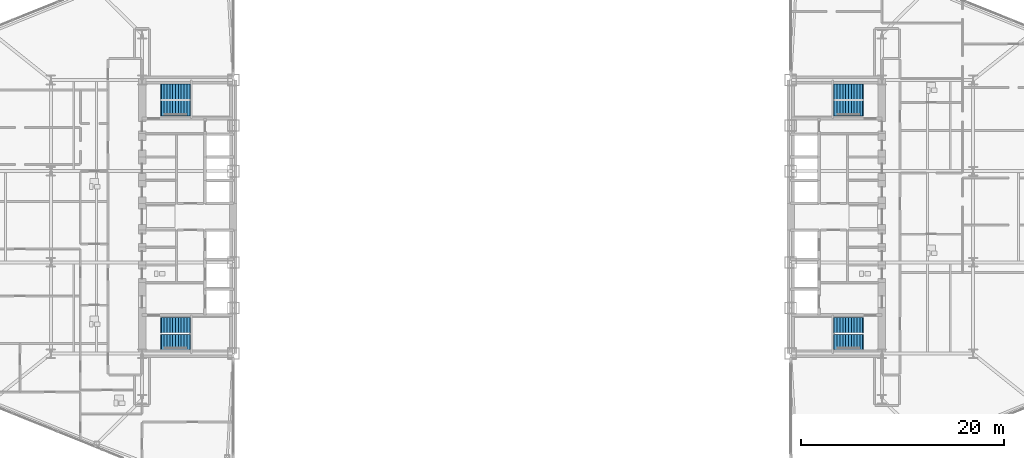
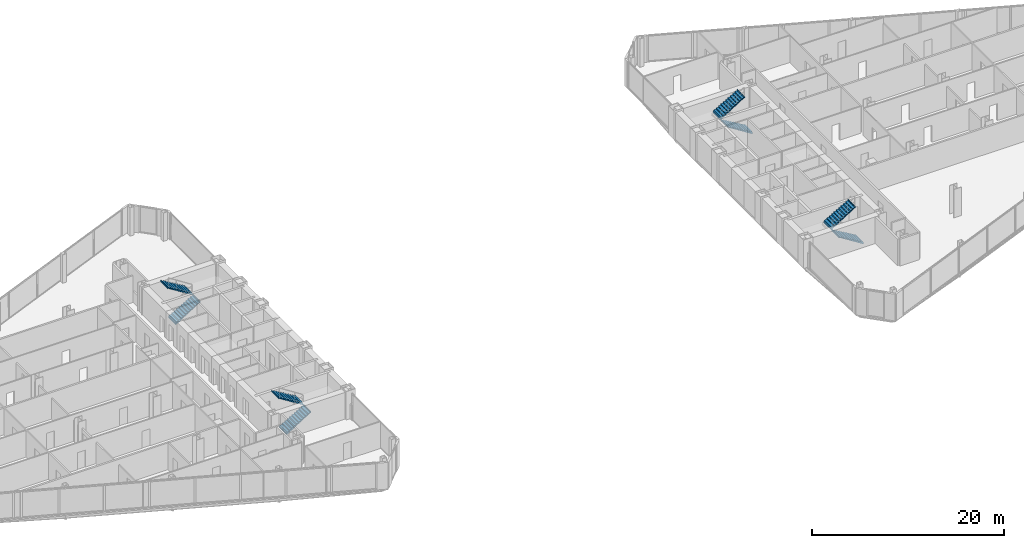
# One storey, part 23 of 25: 8 stair flights, 4 elements without a shape of their own.
"""IFC4 building model written with IfcOpenShell, lengths in metres."""

from ifc_helpers import new_model, si_unit, direction, frame, origin, place, context, subcontext, project, spatial, polyline, outline, extrude, material, type_object, element, aggregate, save


model = new_model("IFC4")

# Units and contexts
model_context = context("Model", 3, precision=1e-05, world=origin(), true_north=direction((0.0, 1.0)))
body_context = subcontext(model_context, "Body", "Model", "MODEL_VIEW")
ifc_project = project(units=[si_unit("LENGTHUNIT", "METRE"), si_unit("AREAUNIT", "SQUARE_METRE"), si_unit("VOLUMEUNIT", "CUBIC_METRE"), si_unit("PLANEANGLEUNIT", "RADIAN"), si_unit("MASSUNIT", "GRAM", prefix="KILO")], contexts=[model_context])

# Site, building, storey
site_placement = place(None, origin())
site = spatial("IfcSite", under=ifc_project, at=site_placement, CompositionType="ELEMENT")
building_placement = place(site_placement, origin())
building = spatial("IfcBuilding", under=site, at=building_placement, Name="Seokmaru Belvedere", CompositionType="ELEMENT")
storey_placement = place(building_placement, frame((0.0, 0.0, 58.5)))
storey = spatial("IfcBuildingStorey", under=building, at=storey_placement, Name="L15", CompositionType="ELEMENT", Elevation=58.5)

# Stair, stair flights
ifc_material = material(Name="Concrete C40 (40 MPa)", Category="concrete")
stair_type = type_object("IfcStairType", Name="Typical Tower Core Dog-Leg Stair 3600", PredefinedType="TWO_STRAIGHT_RUN_STAIR", material=ifc_material)
stair_1_placement = place(storey_placement, origin())
stair_1 = element("IfcStair", 1, at=stair_1_placement, inside=storey, type_object=stair_type, Name="L15 Special Escape Stair ST-W1", PredefinedType="TWO_STRAIGHT_RUN_STAIR")
stair_flight_type = type_object("IfcStairFlightType", Name="Reinforced Concrete Stair Flight 1500", PredefinedType="STRAIGHT", material=ifc_material)
stair_flight_1_placement = place(storey_placement, frame((-34.60009765625, -12.35009765625, 0.0), z_axis=(0.0, 0.0, 1.0), x_axis=(1.0, 0.0, 0.0)))
stair_flight_1 = element("IfcStairFlight", 2, at=stair_flight_1_placement, type_object=stair_flight_type, Name="ST-W1 flight 1", NumberOfRisers=11, NumberOfTreads=10, PredefinedType="STRAIGHT", RiserHeight=0.163636364, TreadLength=0.28, context=body_context, shape_type="SweptSolid", body=[
    extrude(outline(polyline([(-0.080078125, 0.0), (0.0, 0.16357421875), (0.280029296875, 0.16357421875), (0.280029296875, 0.327392578125), (0.56005859375, 0.327392578125), (0.56005859375, 0.490966796875), (0.840087890625, 0.490966796875), (0.840087890625, 0.654541015625), (1.1201171875, 0.654541015625), (1.1201171875, 0.818115234375), (1.39990234375, 0.818115234375), (1.39990234375, 0.98193359375), (1.679931640625, 0.98193359375), (1.679931640625, 1.1455078125), (1.9599609375, 1.1455078125), (1.9599609375, 1.30908203125), (2.239990234375, 1.30908203125), (2.239990234375, 1.47265625), (2.52001953125, 1.47265625), (2.52001953125, 1.636474609375), (2.800048828125, 1.636474609375), (2.800048828125, 1.800048828125), (2.8798828125, 1.800048828125), (2.8798828125, 1.610107421875), (2.800048828125, 1.610107421875), (0.0, -0.159912109375), (-0.080078125, -0.159912109375), (-0.080078125, 0.0)])), frame((0.0, 0.75, 0.0), z_axis=(0.0, -1.0, 0.0), x_axis=(1.0, 0.0, 0.0)), (0.0, 0.0, 1.0), 1.5),
])
stair_flight_2_placement = place(storey_placement, frame((-31.800048828125, -10.7099609375, 1.800048828125), z_axis=(0.0, 0.0, 1.0), x_axis=(-1.0, 0.0, 0.0)))
stair_flight_2 = element("IfcStairFlight", 3, at=stair_flight_2_placement, type_object=stair_flight_type, Name="ST-W1 flight 2", NumberOfRisers=11, NumberOfTreads=10, PredefinedType="STRAIGHT", RiserHeight=0.163636364, TreadLength=0.28, context=body_context, shape_type="SweptSolid", body=[
    extrude(outline(polyline([(-0.080078125, 0.0), (0.0, 0.16357421875), (0.280029296875, 0.16357421875), (0.280029296875, 0.327392578125), (0.56005859375, 0.327392578125), (0.56005859375, 0.490966796875), (0.840087890625, 0.490966796875), (0.840087890625, 0.654541015625), (1.1201171875, 0.654541015625), (1.1201171875, 0.818115234375), (1.39990234375, 0.818115234375), (1.39990234375, 0.98193359375), (1.679931640625, 0.98193359375), (1.679931640625, 1.1455078125), (1.9599609375, 1.1455078125), (1.9599609375, 1.30908203125), (2.239990234375, 1.30908203125), (2.239990234375, 1.47265625), (2.52001953125, 1.47265625), (2.52001953125, 1.636474609375), (2.800048828125, 1.636474609375), (2.800048828125, 1.800048828125), (2.8798828125, 1.800048828125), (2.8798828125, 1.610107421875), (2.800048828125, 1.610107421875), (0.0, -0.159912109375), (-0.080078125, -0.159912109375), (-0.080078125, 0.0)])), frame((0.0, 0.75, 0.0), z_axis=(0.0, -1.0, 0.0), x_axis=(1.0, 0.0, 0.0)), (0.0, 0.0, 1.0), 1.5),
])
aggregate(stair_1, [stair_flight_1, stair_flight_2])

stair_2_placement = place(storey_placement, origin())
stair_2 = element("IfcStair", 4, at=stair_2_placement, inside=storey, type_object=stair_type, Name="L15 Special Escape Stair ST-W2", PredefinedType="TWO_STRAIGHT_RUN_STAIR")
stair_flight_3_placement = place(storey_placement, frame((-34.60009765625, 10.7099609375, 0.0), z_axis=(0.0, 0.0, 1.0), x_axis=(1.0, 0.0, 0.0)))
stair_flight_3 = element("IfcStairFlight", 5, at=stair_flight_3_placement, type_object=stair_flight_type, Name="ST-W2 flight 1", NumberOfRisers=11, NumberOfTreads=10, PredefinedType="STRAIGHT", RiserHeight=0.163636364, TreadLength=0.28, context=body_context, shape_type="SweptSolid", body=[
    extrude(outline(polyline([(-0.080078125, 0.0), (0.0, 0.16357421875), (0.280029296875, 0.16357421875), (0.280029296875, 0.327392578125), (0.56005859375, 0.327392578125), (0.56005859375, 0.490966796875), (0.840087890625, 0.490966796875), (0.840087890625, 0.654541015625), (1.1201171875, 0.654541015625), (1.1201171875, 0.818115234375), (1.39990234375, 0.818115234375), (1.39990234375, 0.98193359375), (1.679931640625, 0.98193359375), (1.679931640625, 1.1455078125), (1.9599609375, 1.1455078125), (1.9599609375, 1.30908203125), (2.239990234375, 1.30908203125), (2.239990234375, 1.47265625), (2.52001953125, 1.47265625), (2.52001953125, 1.636474609375), (2.800048828125, 1.636474609375), (2.800048828125, 1.800048828125), (2.8798828125, 1.800048828125), (2.8798828125, 1.610107421875), (2.800048828125, 1.610107421875), (0.0, -0.159912109375), (-0.080078125, -0.159912109375), (-0.080078125, 0.0)])), frame((0.0, 0.75, 0.0), z_axis=(0.0, -1.0, 0.0), x_axis=(1.0, 0.0, 0.0)), (0.0, 0.0, 1.0), 1.5),
])
stair_flight_4_placement = place(storey_placement, frame((-31.800048828125, 12.35009765625, 1.800048828125), z_axis=(0.0, 0.0, 1.0), x_axis=(-1.0, 0.0, 0.0)))
stair_flight_4 = element("IfcStairFlight", 6, at=stair_flight_4_placement, type_object=stair_flight_type, Name="ST-W2 flight 2", NumberOfRisers=11, NumberOfTreads=10, PredefinedType="STRAIGHT", RiserHeight=0.163636364, TreadLength=0.28, context=body_context, shape_type="SweptSolid", body=[
    extrude(outline(polyline([(-0.080078125, 0.0), (0.0, 0.16357421875), (0.280029296875, 0.16357421875), (0.280029296875, 0.327392578125), (0.56005859375, 0.327392578125), (0.56005859375, 0.490966796875), (0.840087890625, 0.490966796875), (0.840087890625, 0.654541015625), (1.1201171875, 0.654541015625), (1.1201171875, 0.818115234375), (1.39990234375, 0.818115234375), (1.39990234375, 0.98193359375), (1.679931640625, 0.98193359375), (1.679931640625, 1.1455078125), (1.9599609375, 1.1455078125), (1.9599609375, 1.30908203125), (2.239990234375, 1.30908203125), (2.239990234375, 1.47265625), (2.52001953125, 1.47265625), (2.52001953125, 1.636474609375), (2.800048828125, 1.636474609375), (2.800048828125, 1.800048828125), (2.8798828125, 1.800048828125), (2.8798828125, 1.610107421875), (2.800048828125, 1.610107421875), (0.0, -0.159912109375), (-0.080078125, -0.159912109375), (-0.080078125, 0.0)])), frame((0.0, 0.75, 0.0), z_axis=(0.0, -1.0, 0.0), x_axis=(1.0, 0.0, 0.0)), (0.0, 0.0, 1.0), 1.5),
])
aggregate(stair_2, [stair_flight_3, stair_flight_4])

stair_3_placement = place(storey_placement, origin())
stair_3 = element("IfcStair", 7, at=stair_3_placement, inside=storey, type_object=stair_type, Name="L15 Special Escape Stair ST-E1", PredefinedType="TWO_STRAIGHT_RUN_STAIR")
stair_flight_5_placement = place(storey_placement, frame((34.60009765625, -12.35009765625, 0.0), z_axis=(0.0, 0.0, 1.0), x_axis=(-1.0, 0.0, 0.0)))
stair_flight_5 = element("IfcStairFlight", 8, at=stair_flight_5_placement, type_object=stair_flight_type, Name="ST-E1 flight 1", NumberOfRisers=11, NumberOfTreads=10, PredefinedType="STRAIGHT", RiserHeight=0.163636364, TreadLength=0.28, context=body_context, shape_type="SweptSolid", body=[
    extrude(outline(polyline([(-0.080078125, 0.0), (0.0, 0.16357421875), (0.280029296875, 0.16357421875), (0.280029296875, 0.327392578125), (0.56005859375, 0.327392578125), (0.56005859375, 0.490966796875), (0.840087890625, 0.490966796875), (0.840087890625, 0.654541015625), (1.1201171875, 0.654541015625), (1.1201171875, 0.818115234375), (1.39990234375, 0.818115234375), (1.39990234375, 0.98193359375), (1.679931640625, 0.98193359375), (1.679931640625, 1.1455078125), (1.9599609375, 1.1455078125), (1.9599609375, 1.30908203125), (2.239990234375, 1.30908203125), (2.239990234375, 1.47265625), (2.52001953125, 1.47265625), (2.52001953125, 1.636474609375), (2.800048828125, 1.636474609375), (2.800048828125, 1.800048828125), (2.8798828125, 1.800048828125), (2.8798828125, 1.610107421875), (2.800048828125, 1.610107421875), (0.0, -0.159912109375), (-0.080078125, -0.159912109375), (-0.080078125, 0.0)])), frame((0.0, 0.75, 0.0), z_axis=(0.0, -1.0, 0.0), x_axis=(1.0, 0.0, 0.0)), (0.0, 0.0, 1.0), 1.5),
])
stair_flight_6_placement = place(storey_placement, frame((31.800048828125, -10.7099609375, 1.800048828125), z_axis=(0.0, 0.0, 1.0), x_axis=(1.0, 0.0, 0.0)))
stair_flight_6 = element("IfcStairFlight", 9, at=stair_flight_6_placement, type_object=stair_flight_type, Name="ST-E1 flight 2", NumberOfRisers=11, NumberOfTreads=10, PredefinedType="STRAIGHT", RiserHeight=0.163636364, TreadLength=0.28, context=body_context, shape_type="SweptSolid", body=[
    extrude(outline(polyline([(-0.080078125, 0.0), (0.0, 0.16357421875), (0.280029296875, 0.16357421875), (0.280029296875, 0.327392578125), (0.56005859375, 0.327392578125), (0.56005859375, 0.490966796875), (0.840087890625, 0.490966796875), (0.840087890625, 0.654541015625), (1.1201171875, 0.654541015625), (1.1201171875, 0.818115234375), (1.39990234375, 0.818115234375), (1.39990234375, 0.98193359375), (1.679931640625, 0.98193359375), (1.679931640625, 1.1455078125), (1.9599609375, 1.1455078125), (1.9599609375, 1.30908203125), (2.239990234375, 1.30908203125), (2.239990234375, 1.47265625), (2.52001953125, 1.47265625), (2.52001953125, 1.636474609375), (2.800048828125, 1.636474609375), (2.800048828125, 1.800048828125), (2.8798828125, 1.800048828125), (2.8798828125, 1.610107421875), (2.800048828125, 1.610107421875), (0.0, -0.159912109375), (-0.080078125, -0.159912109375), (-0.080078125, 0.0)])), frame((0.0, 0.75, 0.0), z_axis=(0.0, -1.0, 0.0), x_axis=(1.0, 0.0, 0.0)), (0.0, 0.0, 1.0), 1.5),
])
aggregate(stair_3, [stair_flight_5, stair_flight_6])

stair_4_placement = place(storey_placement, origin())
stair_4 = element("IfcStair", 10, at=stair_4_placement, inside=storey, type_object=stair_type, Name="L15 Special Escape Stair ST-E2", PredefinedType="TWO_STRAIGHT_RUN_STAIR")
stair_flight_7_placement = place(storey_placement, frame((34.60009765625, 10.7099609375, 0.0), z_axis=(0.0, 0.0, 1.0), x_axis=(-1.0, 0.0, 0.0)))
stair_flight_7 = element("IfcStairFlight", 11, at=stair_flight_7_placement, type_object=stair_flight_type, Name="ST-E2 flight 1", NumberOfRisers=11, NumberOfTreads=10, PredefinedType="STRAIGHT", RiserHeight=0.163636364, TreadLength=0.28, context=body_context, shape_type="SweptSolid", body=[
    extrude(outline(polyline([(-0.080078125, 0.0), (0.0, 0.16357421875), (0.280029296875, 0.16357421875), (0.280029296875, 0.327392578125), (0.56005859375, 0.327392578125), (0.56005859375, 0.490966796875), (0.840087890625, 0.490966796875), (0.840087890625, 0.654541015625), (1.1201171875, 0.654541015625), (1.1201171875, 0.818115234375), (1.39990234375, 0.818115234375), (1.39990234375, 0.98193359375), (1.679931640625, 0.98193359375), (1.679931640625, 1.1455078125), (1.9599609375, 1.1455078125), (1.9599609375, 1.30908203125), (2.239990234375, 1.30908203125), (2.239990234375, 1.47265625), (2.52001953125, 1.47265625), (2.52001953125, 1.636474609375), (2.800048828125, 1.636474609375), (2.800048828125, 1.800048828125), (2.8798828125, 1.800048828125), (2.8798828125, 1.610107421875), (2.800048828125, 1.610107421875), (0.0, -0.159912109375), (-0.080078125, -0.159912109375), (-0.080078125, 0.0)])), frame((0.0, 0.75, 0.0), z_axis=(0.0, -1.0, 0.0), x_axis=(1.0, 0.0, 0.0)), (0.0, 0.0, 1.0), 1.5),
])
stair_flight_8_placement = place(storey_placement, frame((31.800048828125, 12.35009765625, 1.800048828125), z_axis=(0.0, 0.0, 1.0), x_axis=(1.0, 0.0, 0.0)))
stair_flight_8 = element("IfcStairFlight", 12, at=stair_flight_8_placement, type_object=stair_flight_type, Name="ST-E2 flight 2", NumberOfRisers=11, NumberOfTreads=10, PredefinedType="STRAIGHT", RiserHeight=0.163636364, TreadLength=0.28, context=body_context, shape_type="SweptSolid", body=[
    extrude(outline(polyline([(-0.080078125, 0.0), (0.0, 0.16357421875), (0.280029296875, 0.16357421875), (0.280029296875, 0.327392578125), (0.56005859375, 0.327392578125), (0.56005859375, 0.490966796875), (0.840087890625, 0.490966796875), (0.840087890625, 0.654541015625), (1.1201171875, 0.654541015625), (1.1201171875, 0.818115234375), (1.39990234375, 0.818115234375), (1.39990234375, 0.98193359375), (1.679931640625, 0.98193359375), (1.679931640625, 1.1455078125), (1.9599609375, 1.1455078125), (1.9599609375, 1.30908203125), (2.239990234375, 1.30908203125), (2.239990234375, 1.47265625), (2.52001953125, 1.47265625), (2.52001953125, 1.636474609375), (2.800048828125, 1.636474609375), (2.800048828125, 1.800048828125), (2.8798828125, 1.800048828125), (2.8798828125, 1.610107421875), (2.800048828125, 1.610107421875), (0.0, -0.159912109375), (-0.080078125, -0.159912109375), (-0.080078125, 0.0)])), frame((0.0, 0.75, 0.0), z_axis=(0.0, -1.0, 0.0), x_axis=(1.0, 0.0, 0.0)), (0.0, 0.0, 1.0), 1.5),
])
aggregate(stair_4, [stair_flight_7, stair_flight_8])

save(model, "model.ifc")
